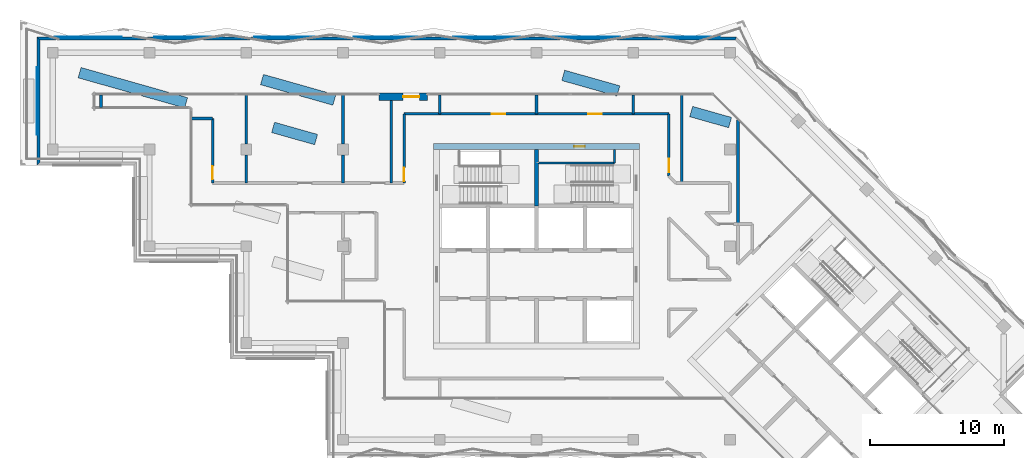
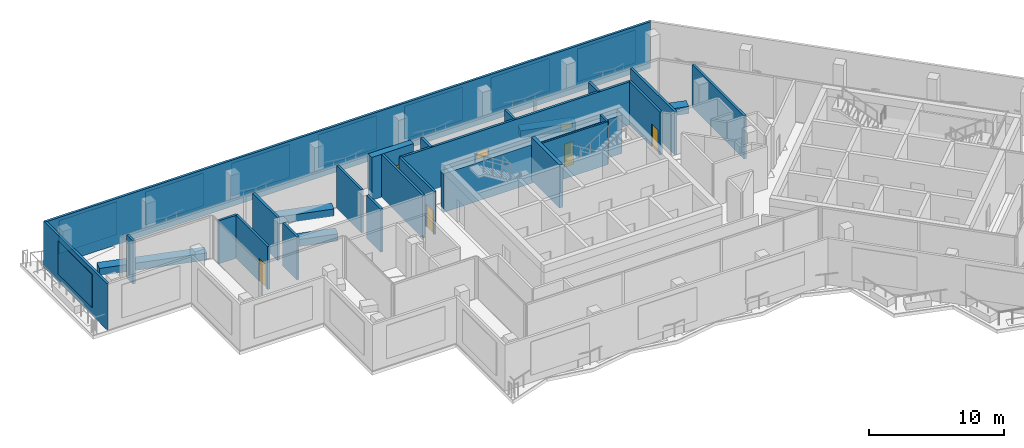
# One storey, part 11 of 19: 28 walls, 8 plates, 7 doors, 7 openings.
"""IFC4 building model written with IfcOpenShell, lengths in metres."""

import ifcopenshell
import ifcopenshell.guid

model = None  # the IFC model being written
_history = None  # IfcOwnerHistory: only IFC2X3 demands one
_inside = {}  # id of a spatial element -> (the spatial element, [elements in it])
_under = {}  # id of a project, library or spatial element -> (it, [spatial elements below it])
_declared = {}  # id of a project -> (the project, [libraries it declares])
_typed = {}  # id of a type object -> (the type object, [elements of that type])
_made_of = {}  # id of a material, layer set ... -> (it, [elements and type objects made of it])


def new_model(schema):
    """Start an empty IFC model of exactly this schema.

    Asked for "IFC4X3", IfcOpenShell would pick the latest addendum, in which some entities
    have other attributes; the version numbers below select the first issue.
    IFC2X3 requires an IfcOwnerHistory on every rooted entity: one is made here for all.
    """
    global model, _history
    if schema == "IFC4X3":
        model = ifcopenshell.file(schema_version=(4, 3, 0, 0))
    else:
        model = ifcopenshell.file(schema=schema)
    _inside.clear()
    _under.clear()
    _declared.clear()
    _typed.clear()
    _made_of.clear()
    _history = None
    if model.schema == "IFC2X3":
        org = make("IfcOrganization", Name="unknown")
        user = make(
            "IfcPersonAndOrganization",
            ThePerson=make("IfcPerson", FamilyName="unknown"),
            TheOrganization=org,
        )
        app = make(
            "IfcApplication",
            ApplicationDeveloper=org,
            Version="unknown",
            ApplicationFullName="unknown",
            ApplicationIdentifier="unknown",
        )
        _history = make(
            "IfcOwnerHistory",
            OwningUser=user,
            OwningApplication=app,
            ChangeAction="ADDED",
            CreationDate=0,
        )
    return model


def make(cls, **values):
    """One entity of the class cls with the attributes given. An attribute that is None is left unset."""
    return model.create_entity(
        cls, **{name: value for name, value in values.items() if value is not None}
    )


def rooted(cls, **values):
    """An entity with a GlobalId (a new one), such as an element, a storey or a relation."""
    return make(cls, GlobalId=ifcopenshell.guid.new(), OwnerHistory=_history, **values)


def si_unit(unit_type, name, prefix=None):
    """IfcSIUnit, for example si_unit("LENGTHUNIT", "METRE", prefix="MILLI")."""
    return make("IfcSIUnit", UnitType=unit_type, Prefix=prefix, Name=name)


def assignment(units):
    """IfcUnitAssignment: the units of a project."""
    return None if units is None else make("IfcUnitAssignment", Units=units)


def point(xyz):
    """IfcCartesianPoint."""
    return None if xyz is None else make("IfcCartesianPoint", Coordinates=xyz)


def direction(xyz):
    """IfcDirection."""
    return None if xyz is None else make("IfcDirection", DirectionRatios=xyz)


def frame(location, z_axis=None, x_axis=None):
    """IfcAxis2Placement3D, a coordinate frame: its origin and axes. An axis left out is left unset."""
    return make(
        "IfcAxis2Placement3D",
        Location=point(location),
        Axis=direction(z_axis),
        RefDirection=direction(x_axis),
    )


def frame_2d(location, x_axis=None):
    """IfcAxis2Placement2D, a coordinate frame in the plane: its origin and x axis."""
    return make(
        "IfcAxis2Placement2D", Location=point(location), RefDirection=direction(x_axis)
    )


def origin():
    """The frame at (0, 0, 0) with its axes left unset."""
    return frame((0.0, 0.0, 0.0))


def place(relative_to, where):
    """IfcLocalPlacement: puts the frame where relative to a parent placement (None: the world)."""
    return make(
        "IfcLocalPlacement", PlacementRelTo=relative_to, RelativePlacement=where
    )


def context(
    kind, dimensions, precision=None, world=None, true_north=None, identifier=None
):
    """IfcGeometricRepresentationContext, for example the 3D "Model" context."""
    return make(
        "IfcGeometricRepresentationContext",
        ContextIdentifier=identifier,
        ContextType=kind,
        CoordinateSpaceDimension=dimensions,
        Precision=precision,
        WorldCoordinateSystem=world,
        TrueNorth=true_north,
    )


def subcontext(parent, identifier, kind, view, scale=None):
    """IfcGeometricRepresentationSubContext, for example "Body" below "Model"."""
    return make(
        "IfcGeometricRepresentationSubContext",
        ContextIdentifier=identifier,
        ContextType=kind,
        ParentContext=parent,
        TargetScale=scale,
        TargetView=view,
    )


def project(units=None, contexts=None):
    """IfcProject with its units and contexts."""
    return rooted(
        "IfcProject",
        Name="project",
        RepresentationContexts=contexts,
        UnitsInContext=assignment(units),
    )


def spatial(cls, under=None, at=None, **own):
    """A site, building, storey or space (cls), placed at a placement, below another one or the project."""
    s = rooted(cls, ObjectPlacement=at, **own)
    if under is not None:
        _under.setdefault(under.id(), (under, []))[1].append(s)
    return s


def polyline(points):
    """IfcPolyline through the points."""
    return make("IfcPolyline", Points=[point(p) for p in points])


def profile(cls, at=None, kind="AREA", **sizes):
    """A parametric profile (cls). Its sizes go by their IFC names, for example OverallWidth=200.0."""
    return make(cls, ProfileType=kind, Position=at, **sizes)


def rectangle(**sizes):
    """IfcRectangleProfileDef."""
    return profile("IfcRectangleProfileDef", **sizes)


def outline(outer, holes=None, kind="AREA"):
    """IfcArbitraryClosedProfileDef: a profile drawn as a closed curve; with holes, ...WithVoids."""
    if holes is None:
        return make("IfcArbitraryClosedProfileDef", ProfileType=kind, OuterCurve=outer)
    return make(
        "IfcArbitraryProfileDefWithVoids",
        ProfileType=kind,
        OuterCurve=outer,
        InnerCurves=holes,
    )


def extrude(swept, where, along, depth):
    """IfcExtrudedAreaSolid: the profile swept, set in the frame where, extruded along a direction by depth."""
    return make(
        "IfcExtrudedAreaSolid",
        SweptArea=swept,
        Position=where,
        ExtrudedDirection=direction(along),
        Depth=depth,
    )


def shape(context_of_items, identifier, shape_type, items):
    """IfcShapeRepresentation: the items that make up one representation, for example the "Body"."""
    return make(
        "IfcShapeRepresentation",
        ContextOfItems=context_of_items,
        RepresentationIdentifier=identifier,
        RepresentationType=shape_type,
        Items=items,
    )


def material(Name=None, Category=None):
    """IfcMaterial."""
    return make("IfcMaterial", Name=Name, Category=Category)


def layer(
    of_material, thickness, ventilated=None, Name=None, Category=None, Priority=None
):
    """IfcMaterialLayer: one layer of a wall or slab, of a material (None: an air gap)."""
    return make(
        "IfcMaterialLayer",
        Material=of_material,
        LayerThickness=thickness,
        IsVentilated=ventilated,
        Name=Name,
        Category=Category,
        Priority=Priority,
    )


def layer_set(layers, Name=None):
    """IfcMaterialLayerSet."""
    return make("IfcMaterialLayerSet", MaterialLayers=layers, LayerSetName=Name)


def made_of(thing, what):
    """Note that an element or type object is made of a material, layer set ...; save() writes the relation."""
    if what is not None:
        _made_of.setdefault(what.id(), (what, []))[1].append(thing)
    return thing


def type_object(cls, material=None, **own):
    """A type object (cls), such as IfcWallType, which elements share."""
    return made_of(rooted(cls, **own), material)


def element(
    cls,
    number,
    at=None,
    inside=None,
    cuts=None,
    type_object=None,
    material=None,
    context=None,
    identifier="Body",
    shape_type=None,
    held_by="IfcProductDefinitionShape",
    body=None,
    shapes=None,
    **own,
):
    """One element of the class cls, such as IfcWall. Its Tag is "e" and its number.

    at: its placement. inside: the storey or other place that contains it. cuts: it is an
    opening in that element (IfcRelVoidsElement). A single representation is given by context,
    identifier, shape_type and body (its items); several are given by shapes. held_by: the class
    of the entity that holds the representations. save() writes the other relations.
    """
    e = rooted(cls, Tag="e%d" % number, ObjectPlacement=at, **own)
    if body is not None:
        shapes = [shape(context, identifier, shape_type, body)]
    if shapes is not None:
        e.Representation = make(held_by, Representations=shapes)
    if inside is not None:
        _inside.setdefault(inside.id(), (inside, []))[1].append(e)
    if cuts is not None:
        rooted(
            "IfcRelVoidsElement", RelatingBuildingElement=cuts, RelatedOpeningElement=e
        )
    if type_object is not None:
        _typed.setdefault(type_object.id(), (type_object, []))[1].append(e)
    return made_of(e, material)


def fill(opening, filler):
    """IfcRelFillsElement: the door or window that sits in an opening."""
    return rooted(
        "IfcRelFillsElement",
        RelatingOpeningElement=opening,
        RelatedBuildingElement=filler,
    )


def aggregate(whole, parts):
    """IfcRelAggregates: a whole, such as a stair, and the parts it consists of."""
    return rooted("IfcRelAggregates", RelatingObject=whole, RelatedObjects=parts)


def save(model, path):
    """Write the relations noted so far, then the file.

    IfcRelAggregates (storeys below a building ...), IfcRelContainedInSpatialStructure (elements
    in a storey), IfcRelDefinesByType, IfcRelAssociatesMaterial and IfcRelDeclares: one each for
    every whole, place, type object, material and project.
    """
    for whole, parts in _under.values():
        aggregate(whole, parts)
    for where, things in _inside.values():
        rooted(
            "IfcRelContainedInSpatialStructure",
            RelatedElements=things,
            RelatingStructure=where,
        )
    for kind, things in _typed.values():
        rooted("IfcRelDefinesByType", RelatedObjects=things, RelatingType=kind)
    for what, things in _made_of.values():
        rooted("IfcRelAssociatesMaterial", RelatedObjects=things, RelatingMaterial=what)
    for by, libraries in _declared.values():
        rooted("IfcRelDeclares", RelatingContext=by, RelatedDefinitions=libraries)
    model.write(path)


model = new_model("IFC4")

# Units and contexts
model_context = context("Model", 3, precision=1e-05, world=origin(), true_north=direction((0.0, 1.0)))
body_context = subcontext(model_context, "Body", "Model", "MODEL_VIEW")
ifc_project = project(units=[si_unit("LENGTHUNIT", "METRE"), si_unit("AREAUNIT", "SQUARE_METRE"), si_unit("VOLUMEUNIT", "CUBIC_METRE"), si_unit("PLANEANGLEUNIT", "RADIAN"), si_unit("MASSUNIT", "GRAM", prefix="KILO")], contexts=[model_context])

# Plate
ifc_material_1 = material(Name="Aluminium louvre", Category="aluminium")
ifc_layer_1 = layer(ifc_material_1, 0.05)
ifc_layer_set_1 = layer_set([ifc_layer_1], Name="Belt louvre panel 5000x3000")
plate_type = type_object("IfcPlateType", Name="Belt louvre panel 5000x3000", PredefinedType="SHEET", material=ifc_layer_set_1)
site_placement = place(None, origin())
building_placement = place(site_placement, origin())
storey_placement = place(building_placement, frame((0.0, 0.0, 230.4)))
plate_1_placement = place(storey_placement, frame((78.4288, 73.2, 0.75), z_axis=(0.0, 1.0, 0.0), x_axis=(-1.0, 0.0, 0.0)))
plate_1 = element("IfcPlate", 1, at=plate_1_placement, type_object=plate_type, Name="Belt louvre panel L63 15.1", PredefinedType="SHEET", context=body_context, shape_type="SweptSolid", body=[
    extrude(outline(polyline([(0.0, 0.0), (5.0, 0.0), (5.0, 3.0), (0.0, 3.0), (0.0, 0.0)])), origin(), (0.0, 0.0, -1.0), 0.05),
])

plate_2_placement = place(storey_placement, frame((71.0167, 73.2, 0.75), z_axis=(0.0, 1.0, 0.0), x_axis=(-1.0, 0.0, 0.0)))
plate_2 = element("IfcPlate", 2, at=plate_2_placement, type_object=plate_type, Name="Belt louvre panel L63 16.2", PredefinedType="SHEET", context=body_context, shape_type="SweptSolid", body=[
    extrude(outline(polyline([(0.0, 0.0), (5.0, 0.0), (5.0, 3.0), (0.0, 3.0), (0.0, 0.0)])), origin(), (0.0, 0.0, -1.0), 0.05),
])

plate_3_placement = place(storey_placement, frame((63.6046, 73.2, 0.75), z_axis=(0.0, 1.0, 0.0), x_axis=(-1.0, 0.0, 0.0)))
plate_3 = element("IfcPlate", 3, at=plate_3_placement, type_object=plate_type, Name="Belt louvre panel L63 17.3", PredefinedType="SHEET", context=body_context, shape_type="SweptSolid", body=[
    extrude(outline(polyline([(0.0, 0.0), (5.0, 0.0), (5.0, 3.0), (0.0, 3.0), (0.0, 0.0)])), origin(), (0.0, 0.0, -1.0), 0.05),
])

plate_4_placement = place(storey_placement, frame((56.1924, 73.2, 0.75), z_axis=(0.0, 1.0, 0.0), x_axis=(-1.0, 0.0, 0.0)))
plate_4 = element("IfcPlate", 4, at=plate_4_placement, type_object=plate_type, Name="Belt louvre panel L63 18.4", PredefinedType="SHEET", context=body_context, shape_type="SweptSolid", body=[
    extrude(outline(polyline([(0.0, 0.0), (5.0, 0.0), (5.0, 3.0), (0.0, 3.0), (0.0, 0.0)])), origin(), (0.0, 0.0, -1.0), 0.05),
])

plate_5_placement = place(storey_placement, frame((48.7803, 73.2, 0.75), z_axis=(0.0, 1.0, 0.0), x_axis=(-1.0, 0.0, 0.0)))
plate_5 = element("IfcPlate", 5, at=plate_5_placement, type_object=plate_type, Name="Belt louvre panel L63 19.5", PredefinedType="SHEET", context=body_context, shape_type="SweptSolid", body=[
    extrude(outline(polyline([(0.0, 0.0), (5.0, 0.0), (5.0, 3.0), (0.0, 3.0), (0.0, 0.0)])), origin(), (0.0, 0.0, -1.0), 0.05),
])

plate_6_placement = place(storey_placement, frame((41.3682, 73.2, 0.75), z_axis=(0.0, 1.0, 0.0), x_axis=(-1.0, 0.0, 0.0)))
plate_6 = element("IfcPlate", 6, at=plate_6_placement, type_object=plate_type, Name="Belt louvre panel L63 20.6", PredefinedType="SHEET", context=body_context, shape_type="SweptSolid", body=[
    extrude(outline(polyline([(0.0, 0.0), (5.0, 0.0), (5.0, 3.0), (0.0, 3.0), (0.0, 0.0)])), origin(), (0.0, 0.0, -1.0), 0.05),
])

plate_7_placement = place(storey_placement, frame((33.956, 73.2, 0.75), z_axis=(0.0, 1.0, 0.0), x_axis=(-1.0, 0.0, 0.0)))
plate_7 = element("IfcPlate", 7, at=plate_7_placement, type_object=plate_type, Name="Belt louvre panel L63 21.7", PredefinedType="SHEET", context=body_context, shape_type="SweptSolid", body=[
    extrude(outline(polyline([(0.0, 0.0), (5.0, 0.0), (5.0, 3.0), (0.0, 3.0), (0.0, 0.0)])), origin(), (0.0, 0.0, -1.0), 0.05),
])

plate_8_placement = place(storey_placement, frame((27.6, 70.9, 0.75), z_axis=(-1.0, 0.0, 0.0), x_axis=(0.0, -1.0, 0.0)))
plate_8 = element("IfcPlate", 8, at=plate_8_placement, type_object=plate_type, Name="Belt louvre panel L63 31.1", PredefinedType="SHEET", context=body_context, shape_type="SweptSolid", body=[
    extrude(outline(polyline([(0.0, 0.0), (5.0, 0.0), (5.0, 3.0), (0.0, 3.0), (0.0, 0.0)])), origin(), (0.0, 0.0, -1.0), 0.05),
])

# Site, building, storey
site = spatial("IfcSite", under=ifc_project, at=site_placement, CompositionType="ELEMENT")
building = spatial("IfcBuilding", under=site, at=building_placement, Name="Windrow Commons", CompositionType="ELEMENT")
storey = spatial("IfcBuildingStorey", under=building, at=storey_placement, Name="L63", CompositionType="ELEMENT", Elevation=230.4)

# Wall
ifc_material_2 = material(Name="Concrete C40/50 precast screen panel", Category="concrete")
ifc_layer_2 = layer(ifc_material_2, 0.2)
ifc_layer_set_2 = layer_set([ifc_layer_2], Name="Belt screen wall 200")
wall_type_1 = type_object("IfcWallType", Name="Belt screen wall 200", PredefinedType="SOLIDWALL", material=ifc_layer_set_2)
wall_1_placement = place(storey_placement, frame((79.6349, 73.05, 0.0), z_axis=(0.0, 0.0, 1.0), x_axis=(-1.0, 0.0, 0.0)))
wall_1 = element("IfcWall", 9, at=wall_1_placement, inside=storey, type_object=wall_type_1, Name="Belt screen wall L63 15", PredefinedType="SOLIDWALL", context=body_context, shape_type="SweptSolid", body=[
    extrude(outline(polyline([(-0.0414, -0.1), (51.9849, -0.1), (51.7849, 0.1), (0.0414, 0.1), (-0.0414, -0.1)])), origin(), (0.0, 0.0, 1.0), 4.2),
])

aggregate(wall_1, [plate_1, plate_2, plate_3, plate_4, plate_5, plate_6, plate_7])

wall_2_placement = place(storey_placement, frame((27.75, 73.05, 0.0), z_axis=(0.0, 0.0, 1.0), x_axis=(0.0, -1.0, 0.0)))
wall_2 = element("IfcWall", 10, at=wall_2_placement, inside=storey, type_object=wall_type_1, Name="Belt screen wall L63 31", PredefinedType="SOLIDWALL", context=body_context, shape_type="SweptSolid", body=[
    extrude(outline(polyline([(-0.1, -0.1), (9.4, -0.1), (9.2, 0.1), (0.1, 0.1), (-0.1, -0.1)])), origin(), (0.0, 0.0, 1.0), 4.2),
])

aggregate(wall_2, [plate_8])

# Wall, opening, door
ifc_material_3 = material(Name="Brick masonry, red clay brick", Category="masonry")
ifc_layer_3 = layer(ifc_material_3, 0.55)
ifc_layer_set_3 = layer_set([ifc_layer_3], Name="Brick facade wall 550")
wall_type_2 = type_object("IfcWallType", Name="Brick facade wall 550", PredefinedType="SOLIDWALL", material=ifc_layer_set_3)
wall_3_placement = place(storey_placement, frame((56.6784, 68.725, 0.0), z_axis=(0.0, 0.0, 1.0), x_axis=(-1.0, 0.0, 0.0)))
wall_3 = element("IfcWall", 11, at=wall_3_placement, inside=storey, type_object=wall_type_2, Name="Brick facade wall L63 door pier 4", PredefinedType="SOLIDWALL", context=body_context, shape_type="SweptSolid", body=[
    extrude(rectangle(XDim=3.6, YDim=0.55, at=frame_2d((1.8, 0.0))), origin(), (0.0, 0.0, 1.0), 3.9),
])
opening_1_placement = place(wall_3_placement, frame((0.6, 0.0, 0.0)))
opening_1 = element("IfcOpeningElement", 12, at=opening_1_placement, cuts=wall_3, Name="Opening TD7", PredefinedType="OPENING", context=body_context, shape_type="SweptSolid", body=[
    extrude(rectangle(XDim=1.2, YDim=2.4, at=frame_2d((0.6, 1.2))), frame((0.0, 0.285, 0.0), z_axis=(0.0, -1.0, 0.0), x_axis=(1.0, 0.0, 0.0)), (0.0, 0.0, 1.0), 0.57),
])
ifc_material_4 = material(Name="Aluminium 6063-T6 anodised frame with clear glass", Category="aluminium")
door_type_1 = type_object("IfcDoorType", Name="Terrace door TD7 1200x2400", OperationType="SINGLE_SWING_LEFT", PredefinedType="DOOR", material=ifc_material_4)
door_1_placement = place(opening_1_placement, origin())
door_1 = element("IfcDoor", 13, at=door_1_placement, inside=storey, type_object=door_type_1, Name="Terrace door L63 4.1", OperationType="SINGLE_SWING_LEFT", OverallHeight=2.4, OverallWidth=1.2, PredefinedType="DOOR", context=body_context, shape_type="SweptSolid", body=[
    extrude(rectangle(XDim=1.2, YDim=2.4, at=frame_2d((0.6, 1.2))), frame((0.0, 0.025, 0.0), z_axis=(0.0, -1.0, 0.0), x_axis=(1.0, 0.0, 0.0)), (0.0, 0.0, 1.0), 0.05),
])
fill(opening_1, door_1)

# Wall, openings, doors
ifc_material_5 = material(Name="Blockwork partition", Category="masonry")
ifc_layer_4 = layer(ifc_material_5, 0.2)
ifc_layer_set_4 = layer_set([ifc_layer_4], Name="IW-CORRIDOR-200")
wall_type_3 = type_object("IfcWallType", Name="IW-CORRIDOR-200", PredefinedType="PARTITIONING", material=ifc_layer_set_4)
wall_4_placement = place(storey_placement, frame((54.95, 67.45, 0.0), z_axis=(0.0, 0.0, 1.0), x_axis=(1.0, 0.0, 0.0)))
wall_4 = element("IfcWall", 14, at=wall_4_placement, inside=storey, type_object=wall_type_3, Name="W-L63-W000", PredefinedType="PARTITIONING", context=body_context, shape_type="SweptSolid", body=[
    extrude(rectangle(XDim=19.7, YDim=0.2, at=frame_2d((9.85, 0.0))), origin(), (0.0, 0.0, 1.0), 3.9),
])
opening_2_placement = place(wall_4_placement, frame((6.5125, 0.0, 0.0)))
opening_2 = element("IfcOpeningElement", 15, at=opening_2_placement, cuts=wall_4, Name="Opening D310F", PredefinedType="OPENING", context=body_context, shape_type="SweptSolid", body=[
    extrude(rectangle(XDim=1.0, YDim=2.1, at=frame_2d((0.5, 1.05))), frame((0.0, 0.11, 0.0), z_axis=(0.0, -1.0, 0.0), x_axis=(1.0, 0.0, 0.0)), (0.0, 0.0, 1.0), 0.22),
])
opening_3_placement = place(wall_4_placement, frame((13.7125, 0.0, 0.0)))
opening_3 = element("IfcOpeningElement", 16, at=opening_3_placement, cuts=wall_4, Name="Opening D310F", PredefinedType="OPENING", context=body_context, shape_type="SweptSolid", body=[
    extrude(rectangle(XDim=1.0, YDim=2.1, at=frame_2d((0.5, 1.05))), frame((0.0, 0.11, 0.0), z_axis=(0.0, -1.0, 0.0), x_axis=(1.0, 0.0, 0.0)), (0.0, 0.0, 1.0), 0.22),
])
ifc_material_6 = material(Name="Timber door leaf", Category="wood")
door_type_2 = type_object("IfcDoorType", Name="DT-AMENITY-1000", OperationType="SINGLE_SWING_LEFT", PredefinedType="DOOR", material=ifc_material_6)
door_2_placement = place(opening_2_placement, origin())
door_2 = element("IfcDoor", 17, at=door_2_placement, inside=storey, type_object=door_type_2, Name="D-L63-D010", OperationType="SINGLE_SWING_RIGHT", OverallHeight=2.1, OverallWidth=1.0, PredefinedType="DOOR", context=body_context, shape_type="SweptSolid", body=[
    extrude(rectangle(XDim=1.0, YDim=2.1, at=frame_2d((0.5, 1.05))), frame((0.0, 0.025, 0.0), z_axis=(0.0, -1.0, 0.0), x_axis=(1.0, 0.0, 0.0)), (0.0, 0.0, 1.0), 0.05),
])
fill(opening_2, door_2)
door_3_placement = place(opening_3_placement, origin())
door_3 = element("IfcDoor", 18, at=door_3_placement, inside=storey, type_object=door_type_2, Name="D-L63-D011", OperationType="SINGLE_SWING_RIGHT", OverallHeight=2.1, OverallWidth=1.0, PredefinedType="DOOR", context=body_context, shape_type="SweptSolid", body=[
    extrude(rectangle(XDim=1.0, YDim=2.1, at=frame_2d((0.5, 1.05))), frame((0.0, 0.025, 0.0), z_axis=(0.0, -1.0, 0.0), x_axis=(1.0, 0.0, 0.0)), (0.0, 0.0, 1.0), 0.05),
])
fill(opening_3, door_3)

# Wall, opening, door
wall_5_placement = place(storey_placement, frame((54.95, 62.302, 0.0), z_axis=(0.0, 0.0, 1.0), x_axis=(0.0, 1.0, 0.0)))
wall_5 = element("IfcWall", 19, at=wall_5_placement, inside=storey, type_object=wall_type_3, Name="W-L63-W010", PredefinedType="PARTITIONING", context=body_context, shape_type="SweptSolid", body=[
    extrude(rectangle(XDim=5.148, YDim=0.2, at=frame_2d((2.574, 0.0))), origin(), (0.0, 0.0, 1.0), 3.9),
])
opening_4_placement = place(wall_5_placement, frame((0.1407, 0.0, 0.0)))
opening_4 = element("IfcOpeningElement", 20, at=opening_4_placement, cuts=wall_5, Name="Opening D310F", PredefinedType="OPENING", context=body_context, shape_type="SweptSolid", body=[
    extrude(rectangle(XDim=1.0, YDim=2.1, at=frame_2d((0.5, 1.05))), frame((0.0, 0.11, 0.0), z_axis=(0.0, -1.0, 0.0), x_axis=(1.0, 0.0, 0.0)), (0.0, 0.0, 1.0), 0.22),
])
door_4_placement = place(opening_4_placement, origin())
door_4 = element("IfcDoor", 21, at=door_4_placement, inside=storey, type_object=door_type_2, Name="D-L63-D008", OperationType="SINGLE_SWING_LEFT", OverallHeight=2.1, OverallWidth=1.0, PredefinedType="DOOR", context=body_context, shape_type="SweptSolid", body=[
    extrude(rectangle(XDim=1.0, YDim=2.1, at=frame_2d((0.5, 1.05))), frame((0.0, 0.025, 0.0), z_axis=(0.0, -1.0, 0.0), x_axis=(1.0, 0.0, 0.0)), (0.0, 0.0, 1.0), 0.05),
])
fill(opening_4, door_4)

wall_6_placement = place(storey_placement, frame((40.7, 62.302, 0.0), z_axis=(0.0, 0.0, 1.0), x_axis=(0.0, 1.0, 0.0)))
wall_6 = element("IfcWall", 22, at=wall_6_placement, inside=storey, type_object=wall_type_3, Name="W-L63-W012", PredefinedType="PARTITIONING", context=body_context, shape_type="SweptSolid", body=[
    extrude(rectangle(XDim=4.796, YDim=0.2, at=frame_2d((2.398, 0.0))), origin(), (0.0, 0.0, 1.0), 3.9),
])
opening_5_placement = place(wall_6_placement, frame((0.2635, 0.0, 0.0)))
opening_5 = element("IfcOpeningElement", 23, at=opening_5_placement, cuts=wall_6, Name="Opening D310F", PredefinedType="OPENING", context=body_context, shape_type="SweptSolid", body=[
    extrude(rectangle(XDim=1.0, YDim=2.1, at=frame_2d((0.5, 1.05))), frame((0.0, 0.11, 0.0), z_axis=(0.0, -1.0, 0.0), x_axis=(1.0, 0.0, 0.0)), (0.0, 0.0, 1.0), 0.22),
])
door_5_placement = place(opening_5_placement, origin())
door_5 = element("IfcDoor", 24, at=door_5_placement, inside=storey, type_object=door_type_2, Name="D-L63-D005", OperationType="SINGLE_SWING_LEFT", OverallHeight=2.1, OverallWidth=1.0, PredefinedType="DOOR", context=body_context, shape_type="SweptSolid", body=[
    extrude(rectangle(XDim=1.0, YDim=2.1, at=frame_2d((0.5, 1.05))), frame((0.0, 0.025, 0.0), z_axis=(0.0, -1.0, 0.0), x_axis=(1.0, 0.0, 0.0)), (0.0, 0.0, 1.0), 0.05),
])
fill(opening_5, door_5)

wall_7_placement = place(storey_placement, frame((74.65, 62.832, 0.0), z_axis=(0.0, 0.0, 1.0), x_axis=(0.0, 1.0, 0.0)))
wall_7 = element("IfcWall", 25, at=wall_7_placement, inside=storey, type_object=wall_type_3, Name="W-L63-W013", PredefinedType="PARTITIONING", context=body_context, shape_type="SweptSolid", body=[
    extrude(rectangle(XDim=4.618, YDim=0.2, at=frame_2d((2.309, 0.0))), origin(), (0.0, 0.0, 1.0), 3.9),
])
opening_6_placement = place(wall_7_placement, frame((0.2722, 0.0, 0.0)))
opening_6 = element("IfcOpeningElement", 26, at=opening_6_placement, cuts=wall_7, Name="Opening D310F", PredefinedType="OPENING", context=body_context, shape_type="SweptSolid", body=[
    extrude(rectangle(XDim=1.0, YDim=2.1, at=frame_2d((0.5, 1.05))), frame((0.0, 0.11, 0.0), z_axis=(0.0, -1.0, 0.0), x_axis=(1.0, 0.0, 0.0)), (0.0, 0.0, 1.0), 0.22),
])
door_6_placement = place(opening_6_placement, origin())
door_6 = element("IfcDoor", 27, at=door_6_placement, inside=storey, type_object=door_type_2, Name="D-L63-D009", OperationType="SINGLE_SWING_RIGHT", OverallHeight=2.1, OverallWidth=1.0, PredefinedType="DOOR", context=body_context, shape_type="SweptSolid", body=[
    extrude(rectangle(XDim=1.0, YDim=2.1, at=frame_2d((0.5, 1.05))), frame((0.0, 0.025, 0.0), z_axis=(0.0, -1.0, 0.0), x_axis=(1.0, 0.0, 0.0)), (0.0, 0.0, 1.0), 0.05),
])
fill(opening_6, door_6)

# Walls
wall_8_placement = place(storey_placement, frame((39.13, 67.1, 0.0), z_axis=(0.0, 0.0, 1.0), x_axis=(1.0, 0.0, 0.0)))
element("IfcWall", 28, at=wall_8_placement, inside=storey, type_object=wall_type_3, Name="W-L63-W037", PredefinedType="PARTITIONING", context=body_context, shape_type="SweptSolid", body=[
    extrude(rectangle(XDim=1.568, YDim=0.2, at=frame_2d((0.784, 0.0))), origin(), (0.0, 0.0, 1.0), 3.9),
])
ifc_material_7 = material(Name="Blockwork partition", Category="masonry")
ifc_layer_5 = layer(ifc_material_7, 0.2)
ifc_layer_set_5 = layer_set([ifc_layer_5], Name="IW-PARTY-200")
wall_type_4 = type_object("IfcWallType", Name="IW-PARTY-200", PredefinedType="PARTITIONING", material=ifc_layer_set_5)
wall_9_placement = place(storey_placement, frame((79.8, 59.25, 0.0), z_axis=(0.0, 0.0, 1.0), x_axis=(0.0, 1.0, 0.0)))
element("IfcWall", 29, at=wall_9_placement, inside=storey, type_object=wall_type_4, Name="W-L63-W003", PredefinedType="PARTITIONING", context=body_context, shape_type="SweptSolid", body=[
    extrude(rectangle(XDim=7.724, YDim=0.2, at=frame_2d((3.862, 0.0))), origin(), (0.0, 0.0, 1.0), 3.9),
])
wall_10_placement = place(storey_placement, frame((54.0, 62.3, 0.0), z_axis=(0.0, 0.0, 1.0), x_axis=(0.0, 1.0, 0.0)))
element("IfcWall", 30, at=wall_10_placement, inside=storey, type_object=wall_type_4, Name="W-L63-W005", PredefinedType="PARTITIONING", context=body_context, shape_type="SweptSolid", body=[
    extrude(rectangle(XDim=6.15, YDim=0.2, at=frame_2d((3.075, 0.0))), origin(), (0.0, 0.0, 1.0), 3.9),
])
wall_11_placement = place(storey_placement, frame((75.6, 62.3, 0.0), z_axis=(0.0, 0.0, 1.0), x_axis=(0.0, 1.0, 0.0)))
element("IfcWall", 31, at=wall_11_placement, inside=storey, type_object=wall_type_4, Name="W-L63-W006", PredefinedType="PARTITIONING", context=body_context, shape_type="SweptSolid", body=[
    extrude(rectangle(XDim=6.57, YDim=0.2, at=frame_2d((3.285, 0.0))), origin(), (0.0, 0.0, 1.0), 3.9),
])
for number, where, z_axis, x_axis, name in (
    (32, (43.2, 65.2, 0.0), (0.0, 0.0, 1.0), (0.0, 1.0, 0.0), "W-L63-W017"),
    (33, (50.4, 65.2, 0.0), (0.0, 0.0, 1.0), (0.0, 1.0, 0.0), "W-L63-W018"),
):
    element("IfcWall", number, at=place(storey_placement, frame(where, z_axis=z_axis, x_axis=x_axis)), inside=storey, type_object=wall_type_4, Name=name, PredefinedType="PARTITIONING", context=body_context, shape_type="SweptSolid", body=[
        extrude(rectangle(XDim=3.67, YDim=0.2, at=frame_2d((1.835, 0.0))), origin(), (0.0, 0.0, 1.0), 3.9),
    ])
for number, where, z_axis, x_axis, name in (
    (34, (43.2, 62.3, 0.0), (0.0, 0.0, 1.0), (0.0, 1.0, 0.0), "W-L63-W025"),
    (35, (50.4, 62.3, 0.0), (0.0, 0.0, 1.0), (0.0, 1.0, 0.0), "W-L63-W026"),
):
    element("IfcWall", number, at=place(storey_placement, frame(where, z_axis=z_axis, x_axis=x_axis)), inside=storey, type_object=wall_type_4, Name=name, PredefinedType="PARTITIONING", context=body_context, shape_type="SweptSolid", body=[
        extrude(rectangle(XDim=2.1, YDim=0.2, at=frame_2d((1.05, 0.0))), origin(), (0.0, 0.0, 1.0), 3.9),
    ])
for number, where, z_axis, x_axis, name in (
    (36, (57.6, 67.45, 0.0), (0.0, 0.0, 1.0), (0.0, 1.0, 0.0), "W-L63-W042"),
    (37, (64.8, 67.45, 0.0), (0.0, 0.0, 1.0), (0.0, 1.0, 0.0), "W-L63-W043"),
    (38, (72.0, 67.45, 0.0), (0.0, 0.0, 1.0), (0.0, 1.0, 0.0), "W-L63-W044"),
):
    element("IfcWall", number, at=place(storey_placement, frame(where, z_axis=z_axis, x_axis=x_axis)), inside=storey, type_object=wall_type_4, Name=name, PredefinedType="PARTITIONING", context=body_context, shape_type="SweptSolid", body=[
        extrude(rectangle(XDim=1.42, YDim=0.2, at=frame_2d((0.71, 0.0))), origin(), (0.0, 0.0, 1.0), 3.9),
    ])
wall_12_placement = place(storey_placement, frame((32.4, 67.93, 0.0), z_axis=(0.0, 0.0, 1.0), x_axis=(0.0, 1.0, 0.0)))
element("IfcWall", 39, at=wall_12_placement, inside=storey, type_object=wall_type_4, Name="W-L63-W048", PredefinedType="PARTITIONING", context=body_context, shape_type="SweptSolid", body=[
    extrude(rectangle(XDim=0.94, YDim=0.2, at=frame_2d((0.47, 0.0))), origin(), (0.0, 0.0, 1.0), 3.9),
])
ifc_material_8 = material(Name="Concrete C30/37 planter wall", Category="concrete")
ifc_layer_6 = layer(ifc_material_8, 0.8)
ifc_layer_set_6 = layer_set([ifc_layer_6], Name="Planter 800x600")
wall_type_5 = type_object("IfcWallType", Name="Planter 800x600", PredefinedType="SOLIDWALL", material=ifc_layer_set_6)
wall_13_placement = place(storey_placement, frame((79.2069, 66.8, 0.0), z_axis=(0.0, 0.0, 1.0), x_axis=(-0.9622630537, 0.2721209575, 0.0)))
element("IfcWall", 40, at=wall_13_placement, inside=storey, type_object=wall_type_5, Name="PLANTER TR-L63-1 bed 2", PredefinedType="SOLIDWALL", context=body_context, shape_type="SweptSolid", body=[
    extrude(rectangle(XDim=3.0082, YDim=0.8, at=frame_2d((1.5041, 0.0))), origin(), (0.0, 0.0, 1.0), 0.65),
])
wall_14_placement = place(storey_placement, frame((70.8971, 69.15, 0.0), z_axis=(0.0, 0.0, 1.0), x_axis=(-0.9622656728, 0.2721116957, 0.0)))
element("IfcWall", 41, at=wall_14_placement, inside=storey, type_object=wall_type_5, Name="PLANTER TR-L63-1 bed 3", PredefinedType="SOLIDWALL", context=body_context, shape_type="SweptSolid", body=[
    extrude(rectangle(XDim=4.2685, YDim=0.8, at=frame_2d((2.1343, 0.0))), origin(), (0.0, 0.0, 1.0), 0.65),
])
wall_15_placement = place(storey_placement, frame((49.7596, 68.4766, 0.0), z_axis=(0.0, 0.0, 1.0), x_axis=(-0.9622632511, 0.2721202593, 0.0)))
element("IfcWall", 42, at=wall_15_placement, inside=storey, type_object=wall_type_5, Name="PLANTER TR-L63-1 bed 5", PredefinedType="SOLIDWALL", context=body_context, shape_type="SweptSolid", body=[
    extrude(rectangle(XDim=5.5983, YDim=0.8, at=frame_2d((2.7992, 0.0))), origin(), (0.0, 0.0, 1.0), 0.65),
])
wall_16_placement = place(storey_placement, frame((38.73, 68.2702, 0.0), z_axis=(0.0, 0.0, 1.0), x_axis=(-0.9622613389, 0.2721270213, 0.0)))
element("IfcWall", 43, at=wall_16_placement, inside=storey, type_object=wall_type_5, Name="PLANTER TR-L63-1 bed 8", PredefinedType="SOLIDWALL", context=body_context, shape_type="SweptSolid", body=[
    extrude(rectangle(XDim=8.241, YDim=0.8, at=frame_2d((4.1205, 0.0))), origin(), (0.0, 0.0, 1.0), 0.65),
])
wall_17_placement = place(storey_placement, frame((48.4, 65.5356, 0.0), z_axis=(0.0, 0.0, 1.0), x_axis=(-0.962259808, 0.2721324346, 0.0)))
element("IfcWall", 44, at=wall_17_placement, inside=storey, type_object=wall_type_5, Name="PLANTER TR-L63-1 bed 7", PredefinedType="SOLIDWALL", context=body_context, shape_type="SweptSolid", body=[
    extrude(outline(polyline([(0.0, -0.4), (3.3278, -0.4), (3.3278, 0.4), (0.0, 0.4), (0.0, -0.4)])), origin(), (0.0, 0.0, 1.0), 0.65),
])

# Wall, opening, door
ifc_material_9 = material(Name="Concrete C40/50", Category="concrete")
ifc_layer_7 = layer(ifc_material_9, 0.45)
ifc_layer_set_7 = layer_set([ifc_layer_7], Name="RC CORE WALL 450 C40/50")
wall_type_6 = type_object("IfcWallType", Name="RC CORE WALL 450 C40/50", PredefinedType="SHEAR", material=ifc_layer_set_7)
wall_18_placement = place(storey_placement, frame((57.15, 65.025, -0.3), z_axis=(0.0, 0.0, 1.0), x_axis=(1.0, 0.0, 0.0)))
wall_18 = element("IfcWall", 45, at=wall_18_placement, inside=storey, type_object=wall_type_6, Name="Core A wall outer-N", PredefinedType="SHEAR", context=body_context, shape_type="SweptSolid", body=[
    extrude(rectangle(XDim=15.3, YDim=0.45, at=frame_2d((7.65, 0.0))), origin(), (0.0, 0.0, 1.0), 3.5),
])
opening_7_placement = place(wall_18_placement, frame((10.45, 0.0, 0.3)))
opening_7 = element("IfcOpeningElement", 46, at=opening_7_placement, cuts=wall_18, Name="Opening D9", PredefinedType="OPENING", context=body_context, shape_type="SweptSolid", body=[
    extrude(rectangle(XDim=0.8, YDim=2.1, at=frame_2d((0.4, 1.05))), frame((0.0, 0.235, 0.0), z_axis=(0.0, -1.0, 0.0), x_axis=(1.0, 0.0, 0.0)), (0.0, 0.0, 1.0), 0.47),
])
ifc_material_10 = material(Name="Steel fire door leaf", Category="steel")
door_type_3 = type_object("IfcDoorType", Name="Riser access door 800", OperationType="SINGLE_SWING_LEFT", PredefinedType="DOOR", material=ifc_material_10)
door_7_placement = place(opening_7_placement, origin())
door_7 = element("IfcDoor", 47, at=door_7_placement, inside=storey, type_object=door_type_3, Name="Riser access door", OperationType="SINGLE_SWING_RIGHT", OverallHeight=2.1, OverallWidth=0.8, PredefinedType="DOOR", context=body_context, shape_type="SweptSolid", body=[
    extrude(rectangle(XDim=0.8, YDim=2.1, at=frame_2d((0.4, 1.05))), frame((0.0, 0.025, 0.0), z_axis=(0.0, -1.0, 0.0), x_axis=(1.0, 0.0, 0.0)), (0.0, 0.0, 1.0), 0.05),
])
fill(opening_7, door_7)

# Walls
ifc_material_11 = material(Name="Concrete C40/50", Category="concrete")
ifc_layer_8 = layer(ifc_material_11, 0.3)
ifc_layer_set_8 = layer_set([ifc_layer_8], Name="RC SHAFT WALL 300 C40/50")
wall_type_7 = type_object("IfcWallType", Name="RC SHAFT WALL 300 C40/50", PredefinedType="SOLIDWALL", material=ifc_layer_set_8)
wall_19_placement = place(storey_placement, frame((64.8, 60.6, 0.0), z_axis=(0.0, 0.0, 1.0), x_axis=(0.0, 1.0, 0.0)))
element("IfcWall", 48, at=wall_19_placement, inside=storey, type_object=wall_type_7, Name="Core A wall stair-mid", PredefinedType="SOLIDWALL", context=body_context, shape_type="SweptSolid", body=[
    extrude(rectangle(XDim=4.2, YDim=0.3, at=frame_2d((2.1, 0.0))), origin(), (0.0, 0.0, 1.0), 3.9),
])
ifc_material_12 = material(Name="Blockwork partition", Category="masonry")
ifc_layer_9 = layer(ifc_material_12, 0.15)
ifc_layer_set_9 = layer_set([ifc_layer_9], Name="Riser partition 150")
wall_type_8 = type_object("IfcWallType", Name="Riser partition 150", PredefinedType="PARTITIONING", material=ifc_layer_set_9)
wall_20_placement = place(storey_placement, frame((64.95, 63.78, 0.0), z_axis=(0.0, 0.0, 1.0), x_axis=(1.0, 0.0, 0.0)))
element("IfcWall", 49, at=wall_20_placement, inside=storey, type_object=wall_type_8, Name="W-core-strip-A-L63", PredefinedType="PARTITIONING", context=body_context, shape_type="SweptSolid", body=[
    extrude(rectangle(XDim=5.65, YDim=0.15, at=frame_2d((2.825, 0.0))), origin(), (0.0, 0.0, 1.0), 3.9),
])
wall_21_placement = place(storey_placement, frame((70.6, 63.78, 0.0), z_axis=(0.0, 0.0, 1.0), x_axis=(0.0, 1.0, 0.0)))
element("IfcWall", 50, at=wall_21_placement, inside=storey, type_object=wall_type_8, Name="W-core-stripx-A-L63-1", PredefinedType="PARTITIONING", context=body_context, shape_type="SweptSolid", body=[
    extrude(rectangle(XDim=1.02, YDim=0.15, at=frame_2d((0.51, 0.0))), origin(), (0.0, 0.0, 1.0), 3.9),
])

save(model, "model.ifc")
